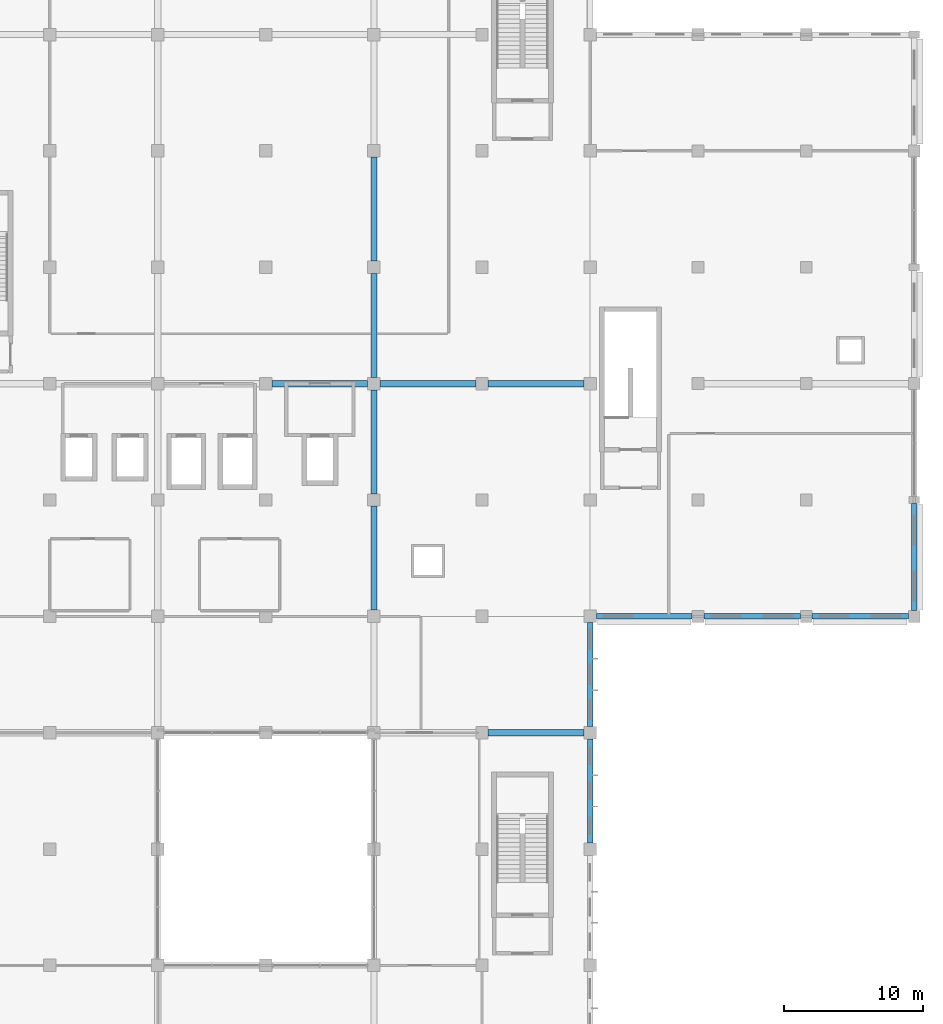
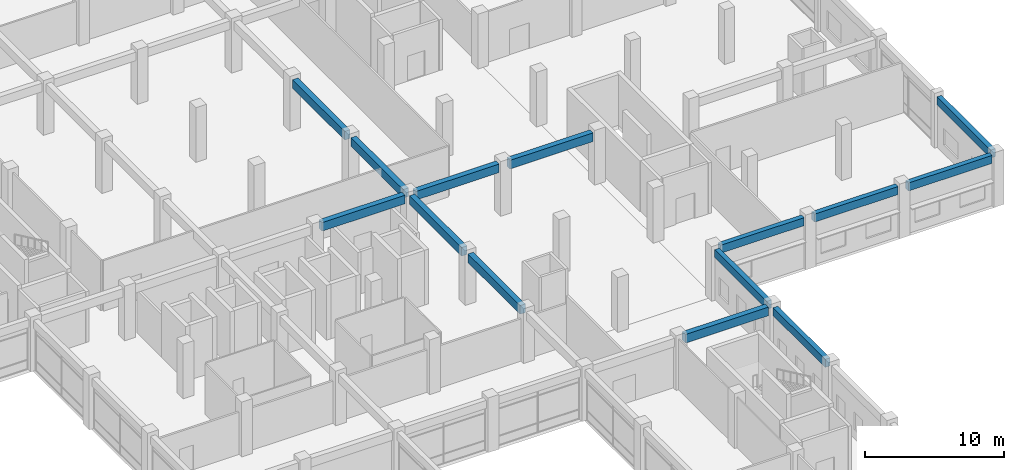
# One storey, part 41 of 79: 14 beams.
"""IFC4 building model written with IfcOpenShell, lengths in metres."""

from ifc_helpers import new_model, si_unit, direction, frame, origin, origin_2d, place, context, subcontext, project, spatial, rectangle, extrude, material, material_profile, profile_set, type_object, element, save


model = new_model("IFC4")

# Units and contexts
model_context = context("Model", 3, precision=1e-05, world=origin(), true_north=direction((0.0, 1.0)))
body_context = subcontext(model_context, "Body", "Model", "MODEL_VIEW")
ifc_project = project(units=[si_unit("LENGTHUNIT", "METRE"), si_unit("AREAUNIT", "SQUARE_METRE"), si_unit("VOLUMEUNIT", "CUBIC_METRE"), si_unit("PLANEANGLEUNIT", "RADIAN"), si_unit("MASSUNIT", "GRAM", prefix="KILO"), si_unit("THERMODYNAMICTEMPERATUREUNIT", "KELVIN"), si_unit("POWERUNIT", "WATT")], contexts=[model_context])

# Site, building, storey
site_placement = place(None, origin())
site = spatial("IfcSite", under=ifc_project, at=site_placement, CompositionType="ELEMENT")
building_placement = place(site_placement, origin())
building = spatial("IfcBuilding", under=site, at=building_placement, Name="Srebrne Nadtorze General Hospital", CompositionType="ELEMENT")
storey_placement = place(building_placement, frame((0.0, 0.0, 4.800048828125)))
storey = spatial("IfcBuildingStorey", under=building, at=storey_placement, Name="L01", CompositionType="ELEMENT", Elevation=4.800048828125)

# Beams
ifc_material_1 = material(Name="Concrete C40/50", Category="concrete")
ifc_material_profile_1 = material_profile(ifc_material_1, rectangle(XDim=0.39990234375, YDim=0.699951171875, at=origin_2d()), Name="RC-BM-400x700")
ifc_profile_set_1 = profile_set([ifc_material_profile_1], Name="Concrete C40/50")
beam_type_1 = type_object("IfcBeamType", Name="Edge beam RC 400x700", PredefinedType="BEAM", material=ifc_profile_set_1)
beam_1_placement = place(storey_placement, frame((148.64990234375, 33.60009765625, 4.099853515625), z_axis=(1.0, 0.0, 0.0), x_axis=(0.0, 1.0, 0.0)))
element("IfcBeam", 1, at=beam_1_placement, inside=storey, type_object=beam_type_1, Name="Beam BM-L01-X-0403", PredefinedType="BEAM", context=body_context, shape_type="SweptSolid", body=[
    extrude(rectangle(XDim=0.39990234375, YDim=0.699951171875, at=origin_2d()), origin(), (0.0, 0.0, 1.0), 6.925048828125),
])
for number, where, z_axis, x_axis, name in (
    (2, (156.425048828125, 33.60009765625, 4.099853515625), (1.0, 0.0, 0.0), (0.0, 1.0, 0.0), "Beam BM-L01-X-0404"),
    (3, (164.22509765625, 33.60009765625, 4.099853515625), (1.0, 0.0, 0.0), (0.0, 1.0, 0.0), "Beam BM-L01-X-0405"),
):
    element("IfcBeam", number, at=place(storey_placement, frame(where, z_axis=z_axis, x_axis=x_axis)), inside=storey, type_object=beam_type_1, Name=name, PredefinedType="BEAM", context=body_context, shape_type="SweptSolid", body=[
        extrude(rectangle(XDim=0.39990234375, YDim=0.699951171875, at=origin_2d()), origin(), (0.0, 0.0, 1.0), 6.949951171875),
    ])
for number, where, z_axis, x_axis, name in (
    (4, (148.199951171875, 17.25, 4.099853515625), (0.0, 1.0, 0.0), (-1.0, 0.0, 0.0), "Beam BM-L01-Y-0542"),
    (5, (148.199951171875, 25.64990234375, 4.099853515625), (0.0, 1.0, 0.0), (-1.0, 0.0, 0.0), "Beam BM-L01-Y-0543"),
):
    element("IfcBeam", number, at=place(storey_placement, frame(where, z_axis=z_axis, x_axis=x_axis)), inside=storey, type_object=beam_type_1, Name=name, PredefinedType="BEAM", context=body_context, shape_type="SweptSolid", body=[
        extrude(rectangle(XDim=0.39990234375, YDim=0.699951171875, at=origin_2d()), origin(), (0.0, 0.0, 1.0), 7.5),
    ])
beam_2_placement = place(storey_placement, frame((171.60009765625, 34.02490234375, 4.099853515625), z_axis=(0.0, 1.0, 0.0), x_axis=(-1.0, 0.0, 0.0)))
element("IfcBeam", 6, at=beam_2_placement, inside=storey, type_object=beam_type_1, Name="Beam BM-L01-Y-0548", PredefinedType="BEAM", context=body_context, shape_type="SweptSolid", body=[
    extrude(rectangle(XDim=0.39990234375, YDim=0.699951171875, at=origin_2d()), origin(), (0.0, 0.0, 1.0), 7.72509765625),
])
ifc_material_2 = material(Name="Concrete C40/50", Category="concrete")
ifc_material_profile_2 = material_profile(ifc_material_2, rectangle(XDim=0.449951171875, YDim=0.75, at=origin_2d()), Name="RC-BM-450x750")
ifc_profile_set_2 = profile_set([ifc_material_profile_2], Name="Concrete C40/50")
beam_type_2 = type_object("IfcBeamType", Name="Primary beam RC 450x750", PredefinedType="BEAM", material=ifc_profile_set_2)
for number, where, z_axis, x_axis, name in (
    (7, (140.85009765625, 25.199951171875, 4.074951171875), (1.0, 0.0, 0.0), (0.0, 1.0, 0.0), "Beam BM-L01-X-0399"),
    (8, (125.25, 50.39990234375, 4.074951171875), (1.0, 0.0, 0.0), (0.0, 1.0, 0.0), "Beam BM-L01-X-0421"),
    (9, (133.050048828125, 50.39990234375, 4.074951171875), (1.0, 0.0, 0.0), (0.0, 1.0, 0.0), "Beam BM-L01-X-0422"),
    (10, (140.85009765625, 50.39990234375, 4.074951171875), (1.0, 0.0, 0.0), (0.0, 1.0, 0.0), "Beam BM-L01-X-0423"),
):
    element("IfcBeam", number, at=place(storey_placement, frame(where, z_axis=z_axis, x_axis=x_axis)), inside=storey, type_object=beam_type_2, Name=name, PredefinedType="BEAM", context=body_context, shape_type="SweptSolid", body=[
        extrude(rectangle(XDim=0.449951171875, YDim=0.75, at=origin_2d()), origin(), (0.0, 0.0, 1.0), 6.89990234375),
    ])
for number, where, z_axis, x_axis, name in (
    (11, (132.60009765625, 34.050048828125, 4.074951171875), (0.0, 1.0, 0.0), (-1.0, 0.0, 0.0), "Beam BM-L01-Y-0531"),
    (12, (132.60009765625, 42.449951171875, 4.074951171875), (0.0, 1.0, 0.0), (-1.0, 0.0, 0.0), "Beam BM-L01-Y-0532"),
    (13, (132.60009765625, 50.85009765625, 4.074951171875), (0.0, 1.0, 0.0), (-1.0, 0.0, 0.0), "Beam BM-L01-Y-0533"),
    (14, (132.60009765625, 59.25, 4.074951171875), (0.0, 1.0, 0.0), (-1.0, 0.0, 0.0), "Beam BM-L01-Y-0534"),
):
    element("IfcBeam", number, at=place(storey_placement, frame(where, z_axis=z_axis, x_axis=x_axis)), inside=storey, type_object=beam_type_2, Name=name, PredefinedType="BEAM", context=body_context, shape_type="SweptSolid", body=[
        extrude(rectangle(XDim=0.449951171875, YDim=0.75, at=origin_2d()), origin(), (0.0, 0.0, 1.0), 7.5),
    ])

save(model, "model.ifc")
